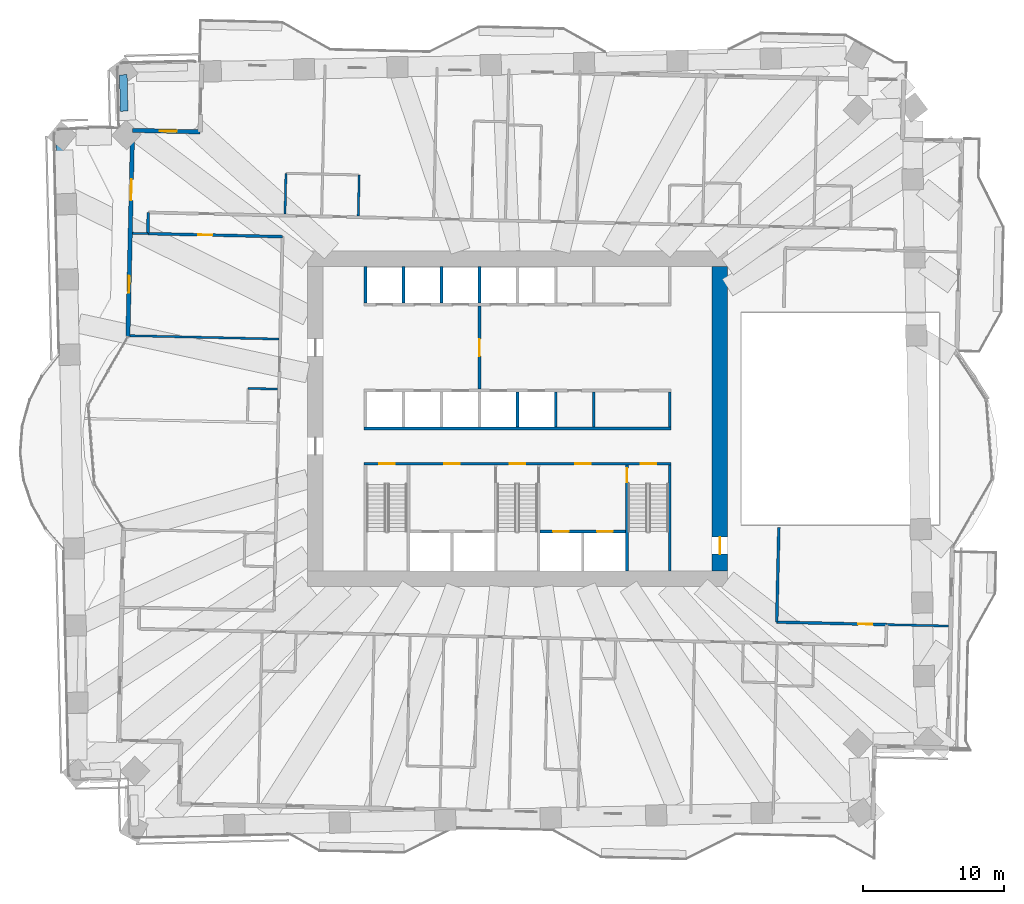
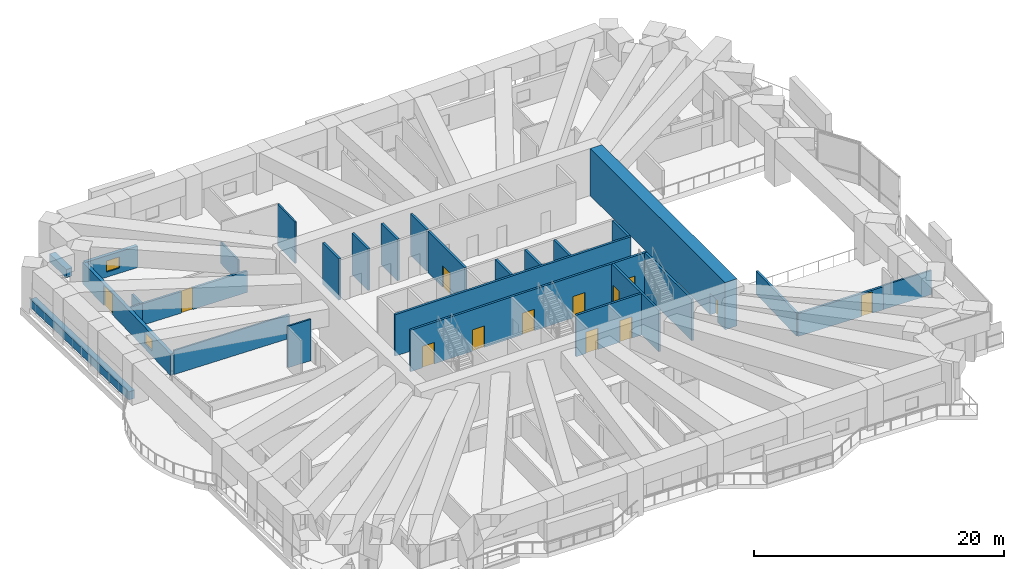
# One storey, part 11 of 20: 29 walls, 13 doors, 2 windows, 15 openings.
"""IFC4 building model written with IfcOpenShell, lengths in metres."""

from ifc_helpers import new_model, si_unit, direction, frame, frame_2d, origin, place, context, subcontext, project, spatial, rectangle, extrude, material, layer, layer_set, type_object, element, fill, save


model = new_model("IFC4")

# Units and contexts
model_context = context("Model", 3, precision=1e-05, world=origin(), true_north=direction((0.0, 1.0)))
body_context = subcontext(model_context, "Body", "Model", "MODEL_VIEW")
ifc_project = project(units=[si_unit("LENGTHUNIT", "METRE"), si_unit("AREAUNIT", "SQUARE_METRE"), si_unit("VOLUMEUNIT", "CUBIC_METRE"), si_unit("PLANEANGLEUNIT", "RADIAN"), si_unit("MASSUNIT", "GRAM", prefix="KILO")], contexts=[model_context])

# Site, building, storey
site_placement = place(None, origin())
site = spatial("IfcSite", under=ifc_project, at=site_placement, CompositionType="ELEMENT")
building_placement = place(site_placement, origin())
building = spatial("IfcBuilding", under=site, at=building_placement, Name="Mangrove Gate Tower", CompositionType="ELEMENT")
storey_placement = place(building_placement, frame((0.0, 0.0, 52.10009765625)))
storey = spatial("IfcBuildingStorey", under=building, at=storey_placement, Name="L12", CompositionType="ELEMENT", Elevation=52.10009765625)

# Wall, opening, door
ifc_material_1 = material(Name="Concrete C32/40", Category="concrete")
ifc_layer_1 = layer(ifc_material_1, 0.199951171875)
ifc_layer_set_1 = layer_set([ifc_layer_1], Name="Core lobby wall 200 C32/40")
wall_type_1 = type_object("IfcWallType", Name="Core lobby wall 200 C32/40", PredefinedType="STANDARD", material=ifc_layer_set_1)
wall_1_placement = place(storey_placement, frame((-2.699951171875, 2.10009765625, 0.0), z_axis=(0.0, 0.0, 1.0), x_axis=(0.0, 1.0, 0.0)))
wall_1 = element("IfcWall", 1, at=wall_1_placement, inside=storey, type_object=wall_type_1, Name="WALL-L12-CORE-35", PredefinedType="STANDARD", context=body_context, shape_type="SweptSolid", body=[
    extrude(rectangle(XDim=5.89990234375, YDim=0.199951171875, at=frame_2d((2.949951171875, 0.0))), origin(), (0.0, 0.0, 1.0), 4.0498046875),
])
opening_1_placement = place(wall_1_placement, frame((2.35009765625, 0.0, 0.0)))
opening_1 = element("IfcOpeningElement", 2, at=opening_1_placement, cuts=wall_1, Name="Opening FL12", PredefinedType="OPENING", context=body_context, shape_type="SweptSolid", body=[
    extrude(rectangle(XDim=1.199951171875, YDim=2.10009765625, at=frame_2d((0.60009765625, 1.050048828125))), frame((0.0, 0.10986328125, 0.0), z_axis=(0.0, -1.0, 0.0), x_axis=(1.0, 0.0, 0.0)), (0.0, 0.0, 1.0), 0.219970703125),
])
ifc_material_2 = material(Name="Fire-rated steel door set", Category="steel")
door_type_1 = type_object("IfcDoorType", Name="Lobby door FD60 1200x2100", OperationType="SINGLE_SWING_LEFT", PredefinedType="DOOR", material=ifc_material_2)
door_1_placement = place(opening_1_placement, origin())
door_1 = element("IfcDoor", 3, at=door_1_placement, inside=storey, type_object=door_type_1, Name="Lobby door lift lobby partition", OperationType="SINGLE_SWING_LEFT", OverallHeight=2.10009765625, OverallWidth=1.199951171875, PredefinedType="DOOR", context=body_context, shape_type="SweptSolid", body=[
    extrude(rectangle(XDim=1.199951171875, YDim=2.10009765625, at=frame_2d((0.60009765625, 1.050048828125))), frame((0.0, 0.02490234375, 0.0), z_axis=(0.0, -1.0, 0.0), x_axis=(1.0, 0.0, 0.0)), (0.0, 0.0, 1.0), 0.050048828125),
])
fill(opening_1, door_1)

# Walls
ifc_material_3 = material(Name="Concrete C32/40", Category="concrete")
ifc_layer_2 = layer(ifc_material_3, 0.199951171875)
ifc_layer_set_2 = layer_set([ifc_layer_2], Name="Core room wall 200 C32/40")
wall_type_2 = type_object("IfcWallType", Name="Core room wall 200 C32/40", PredefinedType="STANDARD", material=ifc_layer_set_2)
for number, where, z_axis, x_axis, name in (
    (4, (5.39990234375, -0.60009765625, 0.0), (0.0, 0.0, 1.0), (0.0, 1.0, 0.0), "WALL-L12-CORE-25"),
    (5, (10.800048828125, -0.60009765625, 0.0), (0.0, 0.0, 1.0), (0.0, 1.0, 0.0), "WALL-L12-CORE-26"),
):
    element("IfcWall", number, at=place(storey_placement, frame(where, z_axis=z_axis, x_axis=x_axis)), inside=storey, type_object=wall_type_2, Name=name, PredefinedType="STANDARD", context=body_context, shape_type="SweptSolid", body=[
        extrude(rectangle(XDim=2.5, YDim=0.199951171875, at=frame_2d((1.25, 0.0))), origin(), (0.0, 0.0, 1.0), 4.0498046875),
    ])
ifc_material_4 = material(Name="Concrete C70/85", Category="concrete")
ifc_layer_3 = layer(ifc_material_4, 0.199951171875)
ifc_layer_set_3 = layer_set([ifc_layer_3], Name="Core shaft wall 200 C70/85")
wall_type_3 = type_object("IfcWallType", Name="Core shaft wall 200 C70/85", PredefinedType="SHEAR", material=ifc_layer_set_3)
wall_2_placement = place(storey_placement, frame((-10.89990234375, -0.699951171875, 0.0), z_axis=(0.0, 0.0, 1.0), x_axis=(1.0, 0.0, 0.0)))
element("IfcWall", 6, at=wall_2_placement, inside=storey, type_object=wall_type_3, Name="WALL-L12-CORE-6", PredefinedType="SHEAR", context=body_context, shape_type="SweptSolid", body=[
    extrude(rectangle(XDim=21.7998046875, YDim=0.199951171875, at=frame_2d((10.89990234375, 0.0))), origin(), (0.0, 0.0, 1.0), 4.0498046875),
])

# Wall, openings, doors
wall_3_placement = place(storey_placement, frame((1.60009765625, -8.0, 0.0), z_axis=(0.0, 0.0, 1.0), x_axis=(1.0, 0.0, 0.0)))
wall_3 = element("IfcWall", 7, at=wall_3_placement, inside=storey, type_object=wall_type_3, Name="WALL-L12-CORE-17", PredefinedType="SHEAR", context=body_context, shape_type="SweptSolid", body=[
    extrude(rectangle(XDim=6.0498046875, YDim=0.199951171875, at=frame_2d((3.02490234375, 0.0))), origin(), (0.0, 0.0, 1.0), 4.0498046875),
])
opening_2_placement = place(wall_3_placement, frame((0.91259765625, 0.0, 0.0)))
opening_2 = element("IfcOpeningElement", 8, at=opening_2_placement, cuts=wall_3, Name="Opening LD", PredefinedType="OPENING", context=body_context, shape_type="SweptSolid", body=[
    extrude(rectangle(XDim=1.10009765625, YDim=2.10009765625, at=frame_2d((0.550048828125, 1.050048828125))), frame((0.0, 0.10986328125, 0.0), z_axis=(0.0, -1.0, 0.0), x_axis=(1.0, 0.0, 0.0)), (0.0, 0.0, 1.0), 0.219970703125),
])
opening_3_placement = place(wall_3_placement, frame((4.03759765625, 0.0, 0.0)))
opening_3 = element("IfcOpeningElement", 9, at=opening_3_placement, cuts=wall_3, Name="Opening LD", PredefinedType="OPENING", context=body_context, shape_type="SweptSolid", body=[
    extrude(rectangle(XDim=1.10009765625, YDim=2.10009765625, at=frame_2d((0.550048828125, 1.050048828125))), frame((0.0, 0.10986328125, 0.0), z_axis=(0.0, -1.0, 0.0), x_axis=(1.0, 0.0, 0.0)), (0.0, 0.0, 1.0), 0.219970703125),
])
ifc_material_5 = material(Name="Stainless steel 316", Category="steel")
door_type_2 = type_object("IfcDoorType", Name="Lift landing door 1100x2100", OperationType="SLIDING_TO_LEFT", PredefinedType="DOOR", material=ifc_material_5)
door_2_placement = place(opening_2_placement, origin())
door_2 = element("IfcDoor", 10, at=door_2_placement, inside=storey, type_object=door_type_2, Name="Landing door LD FFL1", OperationType="SLIDING_TO_LEFT", OverallHeight=2.10009765625, OverallWidth=1.10009765625, PredefinedType="DOOR", context=body_context, shape_type="SweptSolid", body=[
    extrude(rectangle(XDim=1.10009765625, YDim=2.10009765625, at=frame_2d((0.550048828125, 1.050048828125))), frame((0.0, 0.02490234375, 0.0), z_axis=(0.0, -1.0, 0.0), x_axis=(1.0, 0.0, 0.0)), (0.0, 0.0, 1.0), 0.050048828125),
])
fill(opening_2, door_2)
door_3_placement = place(opening_3_placement, origin())
door_3 = element("IfcDoor", 11, at=door_3_placement, inside=storey, type_object=door_type_2, Name="Landing door LD FFL2", OperationType="SLIDING_TO_LEFT", OverallHeight=2.10009765625, OverallWidth=1.10009765625, PredefinedType="DOOR", context=body_context, shape_type="SweptSolid", body=[
    extrude(rectangle(XDim=1.10009765625, YDim=2.10009765625, at=frame_2d((0.550048828125, 1.050048828125))), frame((0.0, 0.02490234375, 0.0), z_axis=(0.0, -1.0, 0.0), x_axis=(1.0, 0.0, 0.0)), (0.0, 0.0, 1.0), 0.050048828125),
])
fill(opening_3, door_3)

# Walls
for number, where, z_axis, x_axis, name in (
    (12, (0.0, -0.60009765625, 0.0), (0.0, 0.0, 1.0), (0.0, 1.0, 0.0), "WALL-L12-CORE-23"),
    (13, (2.699951171875, -0.60009765625, 0.0), (0.0, 0.0, 1.0), (0.0, 1.0, 0.0), "WALL-L12-CORE-24"),
):
    element("IfcWall", number, at=place(storey_placement, frame(where, z_axis=z_axis, x_axis=x_axis)), inside=storey, type_object=wall_type_3, Name=name, PredefinedType="SHEAR", context=body_context, shape_type="SweptSolid", body=[
        extrude(rectangle(XDim=2.5, YDim=0.199951171875, at=frame_2d((1.25, 0.0))), origin(), (0.0, 0.0, 1.0), 4.0498046875),
    ])
for number, where, z_axis, x_axis, name in (
    (14, (-10.800048828125, 8.199951171875, 0.0), (0.0, 0.0, 1.0), (0.0, 1.0, 0.0), "WALL-L12-CORE-27"),
    (15, (-8.10009765625, 8.199951171875, 0.0), (0.0, 0.0, 1.0), (0.0, 1.0, 0.0), "WALL-L12-CORE-28"),
    (16, (-5.39990234375, 8.199951171875, 0.0), (0.0, 0.0, 1.0), (0.0, 1.0, 0.0), "WALL-L12-CORE-29"),
    (17, (-2.699951171875, 8.199951171875, 0.0), (0.0, 0.0, 1.0), (0.0, 1.0, 0.0), "WALL-L12-CORE-30"),
):
    element("IfcWall", number, at=place(storey_placement, frame(where, z_axis=z_axis, x_axis=x_axis)), inside=storey, type_object=wall_type_3, Name=name, PredefinedType="SHEAR", context=body_context, shape_type="SweptSolid", body=[
        extrude(rectangle(XDim=2.60009765625, YDim=0.199951171875, at=frame_2d((1.300048828125, 0.0))), origin(), (0.0, 0.0, 1.0), 4.0498046875),
    ])

# Wall, openings, doors
ifc_material_6 = material(Name="Concrete C70/85", Category="concrete")
ifc_layer_4 = layer(ifc_material_6, 0.199951171875)
ifc_layer_set_4 = layer_set([ifc_layer_4], Name="Core stair wall 200 C70/85")
wall_type_4 = type_object("IfcWallType", Name="Core stair wall 200 C70/85", PredefinedType="SHEAR", material=ifc_layer_set_4)
wall_4_placement = place(storey_placement, frame((-10.89990234375, -3.199951171875, 0.0), z_axis=(0.0, 0.0, 1.0), x_axis=(1.0, 0.0, 0.0)))
wall_4 = element("IfcWall", 18, at=wall_4_placement, inside=storey, type_object=wall_type_4, Name="WALL-L12-CORE-5", PredefinedType="SHEAR", context=body_context, shape_type="SweptSolid", body=[
    extrude(rectangle(XDim=21.7998046875, YDim=0.199951171875, at=frame_2d((10.89990234375, 0.0))), origin(), (0.0, 0.0, 1.0), 4.0498046875),
])
opening_4_placement = place(wall_4_placement, frame((1.074951171875, 0.0, 0.0)))
opening_4 = element("IfcOpeningElement", 19, at=opening_4_placement, cuts=wall_4, Name="Opening STD11", PredefinedType="OPENING", context=body_context, shape_type="SweptSolid", body=[
    extrude(rectangle(XDim=1.10009765625, YDim=2.10009765625, at=frame_2d((0.550048828125, 1.050048828125))), frame((0.0, 0.10986328125, 0.0), z_axis=(0.0, -1.0, 0.0), x_axis=(1.0, 0.0, 0.0)), (0.0, 0.0, 1.0), 0.219970703125),
])
opening_5_placement = place(wall_4_placement, frame((10.324951171875, 0.0, 0.0)))
opening_5 = element("IfcOpeningElement", 20, at=opening_5_placement, cuts=wall_4, Name="Opening STD11", PredefinedType="OPENING", context=body_context, shape_type="SweptSolid", body=[
    extrude(rectangle(XDim=1.10009765625, YDim=2.10009765625, at=frame_2d((0.550048828125, 1.050048828125))), frame((0.0, 0.10986328125, 0.0), z_axis=(0.0, -1.0, 0.0), x_axis=(1.0, 0.0, 0.0)), (0.0, 0.0, 1.0), 0.219970703125),
])
opening_6_placement = place(wall_4_placement, frame((19.625, 0.0, 0.0)))
opening_6 = element("IfcOpeningElement", 21, at=opening_6_placement, cuts=wall_4, Name="Opening STD11", PredefinedType="OPENING", context=body_context, shape_type="SweptSolid", body=[
    extrude(rectangle(XDim=1.10009765625, YDim=2.10009765625, at=frame_2d((0.550048828125, 1.050048828125))), frame((0.0, 0.10986328125, 0.0), z_axis=(0.0, -1.0, 0.0), x_axis=(1.0, 0.0, 0.0)), (0.0, 0.0, 1.0), 0.219970703125),
])
opening_7_placement = place(wall_4_placement, frame((5.699951171875, 0.0, 0.0)))
opening_7 = element("IfcOpeningElement", 22, at=opening_7_placement, cuts=wall_4, Name="Opening FL", PredefinedType="OPENING", context=body_context, shape_type="SweptSolid", body=[
    extrude(rectangle(XDim=1.10009765625, YDim=2.10009765625, at=frame_2d((0.550048828125, 1.050048828125))), frame((0.0, 0.10986328125, 0.0), z_axis=(0.0, -1.0, 0.0), x_axis=(1.0, 0.0, 0.0)), (0.0, 0.0, 1.0), 0.219970703125),
])
opening_8_placement = place(wall_4_placement, frame((14.97509765625, 0.0, 0.0)))
opening_8 = element("IfcOpeningElement", 23, at=opening_8_placement, cuts=wall_4, Name="Opening FL", PredefinedType="OPENING", context=body_context, shape_type="SweptSolid", body=[
    extrude(rectangle(XDim=1.10009765625, YDim=2.10009765625, at=frame_2d((0.550048828125, 1.050048828125))), frame((0.0, 0.10986328125, 0.0), z_axis=(0.0, -1.0, 0.0), x_axis=(1.0, 0.0, 0.0)), (0.0, 0.0, 1.0), 0.219970703125),
])
ifc_material_7 = material(Name="Fire-rated steel door set", Category="steel")
door_type_3 = type_object("IfcDoorType", Name="Lobby door FD60 1100x2100", OperationType="SINGLE_SWING_LEFT", PredefinedType="DOOR", material=ifc_material_7)
door_4_placement = place(opening_7_placement, origin())
door_4 = element("IfcDoor", 24, at=door_4_placement, inside=storey, type_object=door_type_3, Name="Lobby door service lobby", OperationType="SINGLE_SWING_LEFT", OverallHeight=2.10009765625, OverallWidth=1.10009765625, PredefinedType="DOOR", context=body_context, shape_type="SweptSolid", body=[
    extrude(rectangle(XDim=1.10009765625, YDim=2.10009765625, at=frame_2d((0.550048828125, 1.050048828125))), frame((0.0, 0.02490234375, 0.0), z_axis=(0.0, -1.0, 0.0), x_axis=(1.0, 0.0, 0.0)), (0.0, 0.0, 1.0), 0.050048828125),
])
fill(opening_7, door_4)
door_5_placement = place(opening_8_placement, origin())
door_5 = element("IfcDoor", 25, at=door_5_placement, inside=storey, type_object=door_type_3, Name="Lobby door fire-fighting lobby", OperationType="SINGLE_SWING_LEFT", OverallHeight=2.10009765625, OverallWidth=1.10009765625, PredefinedType="DOOR", context=body_context, shape_type="SweptSolid", body=[
    extrude(rectangle(XDim=1.10009765625, YDim=2.10009765625, at=frame_2d((0.550048828125, 1.050048828125))), frame((0.0, 0.02490234375, 0.0), z_axis=(0.0, -1.0, 0.0), x_axis=(1.0, 0.0, 0.0)), (0.0, 0.0, 1.0), 0.050048828125),
])
fill(opening_8, door_5)
ifc_material_8 = material(Name="Fire-rated steel door set", Category="steel")
door_type_4 = type_object("IfcDoorType", Name="Stair door FD60 1100x2100", OperationType="SINGLE_SWING_RIGHT", PredefinedType="DOOR", material=ifc_material_8)
door_6_placement = place(opening_4_placement, origin())
door_6 = element("IfcDoor", 26, at=door_6_placement, inside=storey, type_object=door_type_4, Name="Stair door Stair 1", OperationType="SINGLE_SWING_RIGHT", OverallHeight=2.10009765625, OverallWidth=1.10009765625, PredefinedType="DOOR", context=body_context, shape_type="SweptSolid", body=[
    extrude(rectangle(XDim=1.10009765625, YDim=2.10009765625, at=frame_2d((0.550048828125, 1.050048828125))), frame((0.0, 0.02490234375, 0.0), z_axis=(0.0, -1.0, 0.0), x_axis=(1.0, 0.0, 0.0)), (0.0, 0.0, 1.0), 0.050048828125),
])
fill(opening_4, door_6)
door_7_placement = place(opening_5_placement, origin())
door_7 = element("IfcDoor", 27, at=door_7_placement, inside=storey, type_object=door_type_4, Name="Stair door Stair 2", OperationType="SINGLE_SWING_RIGHT", OverallHeight=2.10009765625, OverallWidth=1.10009765625, PredefinedType="DOOR", context=body_context, shape_type="SweptSolid", body=[
    extrude(rectangle(XDim=1.10009765625, YDim=2.10009765625, at=frame_2d((0.550048828125, 1.050048828125))), frame((0.0, 0.02490234375, 0.0), z_axis=(0.0, -1.0, 0.0), x_axis=(1.0, 0.0, 0.0)), (0.0, 0.0, 1.0), 0.050048828125),
])
fill(opening_5, door_7)
door_8_placement = place(opening_6_placement, origin())
door_8 = element("IfcDoor", 28, at=door_8_placement, inside=storey, type_object=door_type_4, Name="Stair door Stair 3", OperationType="SINGLE_SWING_RIGHT", OverallHeight=2.10009765625, OverallWidth=1.10009765625, PredefinedType="DOOR", context=body_context, shape_type="SweptSolid", body=[
    extrude(rectangle(XDim=1.10009765625, YDim=2.10009765625, at=frame_2d((0.550048828125, 1.050048828125))), frame((0.0, 0.02490234375, 0.0), z_axis=(0.0, -1.0, 0.0), x_axis=(1.0, 0.0, 0.0)), (0.0, 0.0, 1.0), 0.050048828125),
])
fill(opening_6, door_8)

# Wall, opening, door
wall_5_placement = place(storey_placement, frame((7.75, -10.800048828125, 0.0), z_axis=(0.0, 0.0, 1.0), x_axis=(0.0, 1.0, 0.0)))
wall_5 = element("IfcWall", 29, at=wall_5_placement, inside=storey, type_object=wall_type_4, Name="WALL-L12-CORE-13", PredefinedType="SHEAR", context=body_context, shape_type="SweptSolid", body=[
    extrude(rectangle(XDim=7.5, YDim=0.199951171875, at=frame_2d((3.75, 0.0))), origin(), (0.0, 0.0, 1.0), 4.0498046875),
])
opening_9_placement = place(wall_5_placement, frame((6.300048828125, 0.0, 0.0)))
opening_9 = element("IfcOpeningElement", 30, at=opening_9_placement, cuts=wall_5, Name="Opening STD10", PredefinedType="OPENING", context=body_context, shape_type="SweptSolid", body=[
    extrude(rectangle(XDim=1.0, YDim=2.10009765625, at=frame_2d((0.5, 1.050048828125))), frame((0.0, 0.10986328125, 0.0), z_axis=(0.0, -1.0, 0.0), x_axis=(1.0, 0.0, 0.0)), (0.0, 0.0, 1.0), 0.219970703125),
])
ifc_material_9 = material(Name="Fire-rated steel door set", Category="steel")
door_type_5 = type_object("IfcDoorType", Name="Stair door FD60 1000x2100", OperationType="SINGLE_SWING_RIGHT", PredefinedType="DOOR", material=ifc_material_9)
door_9_placement = place(opening_9_placement, origin())
door_9 = element("IfcDoor", 31, at=door_9_placement, inside=storey, type_object=door_type_5, Name="Stair door Stair 3 from fire-fighting lobby", OperationType="SINGLE_SWING_RIGHT", OverallHeight=2.10009765625, OverallWidth=1.0, PredefinedType="DOOR", context=body_context, shape_type="SweptSolid", body=[
    extrude(rectangle(XDim=1.0, YDim=2.10009765625, at=frame_2d((0.5, 1.050048828125))), frame((0.0, 0.02490234375, 0.0), z_axis=(0.0, -1.0, 0.0), x_axis=(1.0, 0.0, 0.0)), (0.0, 0.0, 1.0), 0.050048828125),
])
fill(opening_9, door_9)

# Wall
wall_6_placement = place(storey_placement, frame((10.800048828125, -10.800048828125, 0.0), z_axis=(0.0, 0.0, 1.0), x_axis=(0.0, 1.0, 0.0)))
element("IfcWall", 32, at=wall_6_placement, inside=storey, type_object=wall_type_4, Name="WALL-L12-CORE-14", PredefinedType="SHEAR", context=body_context, shape_type="SweptSolid", body=[
    extrude(rectangle(XDim=7.5, YDim=0.199951171875, at=frame_2d((3.75, 0.0))), origin(), (0.0, 0.0, 1.0), 4.0498046875),
])

# Wall, opening, door
ifc_material_10 = material(Name="Concrete C70/85", Category="concrete")
ifc_layer_5 = layer(ifc_material_10, 1.10009765625)
ifc_layer_set_5 = layer_set([ifc_layer_5], Name="Core wall 1100 C70/85")
wall_type_5 = type_object("IfcWallType", Name="Core wall 1100 C70/85", PredefinedType="SHEAR", material=ifc_layer_set_5)
wall_7_placement = place(storey_placement, frame((14.35009765625, -10.800048828125, 0.0), z_axis=(0.0, 0.0, 1.0), x_axis=(0.0, 1.0, 0.0)))
wall_7 = element("IfcWall", 33, at=wall_7_placement, inside=storey, type_object=wall_type_5, Name="WALL-L12-CORE-4", PredefinedType="SHEAR", context=body_context, shape_type="SweptSolid", body=[
    extrude(rectangle(XDim=21.60009765625, YDim=1.10009765625, at=frame_2d((10.800048828125, 0.0))), origin(), (0.0, 0.0, 1.0), 4.599853515625),
])
opening_10_placement = place(wall_7_placement, frame((1.199951171875, 0.0, 0.0)))
opening_10 = element("IfcOpeningElement", 34, at=opening_10_placement, cuts=wall_7, Name="Opening CD", PredefinedType="OPENING", context=body_context, shape_type="SweptSolid", body=[
    extrude(rectangle(XDim=1.199951171875, YDim=2.10009765625, at=frame_2d((0.60009765625, 1.050048828125))), frame((0.0, 0.56005859375, 0.0), z_axis=(0.0, -1.0, 0.0), x_axis=(1.0, 0.0, 0.0)), (0.0, 0.0, 1.0), 1.1201171875),
])
ifc_material_11 = material(Name="Fire-rated steel door set", Category="steel")
door_type_6 = type_object("IfcDoorType", Name="Core ring door FD60 1200x2100", OperationType="DOUBLE_DOOR_SINGLE_SWING", PredefinedType="DOOR", material=ifc_material_11)
door_10_placement = place(opening_10_placement, origin())
door_10 = element("IfcDoor", 35, at=door_10_placement, inside=storey, type_object=door_type_6, Name="Core ring door E1", OperationType="DOUBLE_DOOR_SINGLE_SWING", OverallHeight=2.10009765625, OverallWidth=1.199951171875, PredefinedType="DOOR", context=body_context, shape_type="SweptSolid", body=[
    extrude(rectangle(XDim=1.199951171875, YDim=2.10009765625, at=frame_2d((0.60009765625, 1.050048828125))), frame((0.0, 0.02490234375, 0.0), z_axis=(0.0, -1.0, 0.0), x_axis=(1.0, 0.0, 0.0)), (0.0, 0.0, 1.0), 0.050048828125),
])
fill(opening_10, door_10)

ifc_material_12 = material(Name="Gypsum board on steel stud, EI 60", Category="steel")
ifc_layer_6 = layer(ifc_material_12, 0.199951171875)
ifc_layer_set_6 = layer_set([ifc_layer_6], Name="Corridor wall EI 60")
wall_type_6 = type_object("IfcWallType", Name="Corridor wall EI 60", PredefinedType="PARTITIONING", material=ifc_layer_set_6)
wall_8_placement = place(storey_placement, frame((18.382080078125, -14.43408203125, 0.0), z_axis=(0.0, 0.0, 1.0), x_axis=(0.999741689867, -0.022727814278, 0.0)))
wall_8 = element("IfcWall", 36, at=wall_8_placement, inside=storey, type_object=wall_type_6, Name="WALL-L12-027", PredefinedType="PARTITIONING", context=body_context, shape_type="SweptSolid", body=[
    extrude(rectangle(XDim=7.787841796875, YDim=0.199951171875, at=frame_2d((3.89404296875, 0.0))), origin(), (0.0, 0.0, 1.0), 2.25),
])
opening_11_placement = place(wall_8_placement, frame((5.777099609375, 0.0, 0.0)))
opening_11 = element("IfcOpeningElement", 37, at=opening_11_placement, cuts=wall_8, Name="Opening AD", PredefinedType="OPENING", context=body_context, shape_type="SweptSolid", body=[
    extrude(rectangle(XDim=1.0, YDim=2.10009765625, at=frame_2d((0.5, 1.050048828125))), frame((0.0, 0.10986328125, 0.0), z_axis=(0.0, -1.0, 0.0), x_axis=(1.0, 0.0, 0.0)), (0.0, 0.0, 1.0), 0.219970703125),
])
ifc_material_13 = material(Name="Timber door leaf", Category="wood")
door_type_7 = type_object("IfcDoorType", Name="Amenity door 1000", OperationType="SINGLE_SWING_LEFT", PredefinedType="DOOR", material=ifc_material_13)
door_11_placement = place(opening_11_placement, origin())
door_11 = element("IfcDoor", 38, at=door_11_placement, inside=storey, type_object=door_type_7, Name="DOOR-L12-LNG-c4b", OperationType="SINGLE_SWING_RIGHT", OverallHeight=2.10009765625, OverallWidth=1.0, PredefinedType="DOOR", context=body_context, shape_type="SweptSolid", body=[
    extrude(rectangle(XDim=1.0, YDim=2.10009765625, at=frame_2d((0.5, 1.050048828125))), frame((0.0, 0.02490234375, 0.0), z_axis=(0.0, -1.0, 0.0), x_axis=(1.0, 0.0, 0.0)), (0.0, 0.0, 1.0), 0.050048828125),
])
fill(opening_11, door_11)

# Walls
wall_9_placement = place(storey_placement, frame((18.384033203125, -14.43408203125, 0.0), z_axis=(0.0, 0.0, 1.0), x_axis=(0.022773383809, 0.999740652864, 0.0)))
element("IfcWall", 39, at=wall_9_placement, inside=storey, type_object=wall_type_6, Name="WALL-L12-028", PredefinedType="PARTITIONING", context=body_context, shape_type="SweptSolid", body=[
    extrude(rectangle(XDim=6.7216796875, YDim=0.199951171875, at=frame_2d((3.36083984375, 0.0))), origin(), (0.0, 0.0, 1.0), 2.25),
])
wall_10_placement = place(storey_placement, frame((-26.241943359375, 13.135009765625, 0.0), z_axis=(0.0, 0.0, 1.0), x_axis=(0.022617910375, 0.999744182344, 0.0)))
element("IfcWall", 40, at=wall_10_placement, inside=storey, type_object=wall_type_6, Name="WALL-L12-039", PredefinedType="PARTITIONING", context=body_context, shape_type="SweptSolid", body=[
    extrude(rectangle(XDim=1.50048828125, YDim=0.199951171875, at=frame_2d((0.750244140625, 0.0))), origin(), (0.0, 0.0, 1.0), 2.099853515625),
])

# Wall, opening, door
wall_11_placement = place(storey_placement, frame((-26.239990234375, 13.135009765625, 0.0), z_axis=(0.0, 0.0, 1.0), x_axis=(0.999742441439, -0.022694730362, 0.0)))
wall_11 = element("IfcWall", 41, at=wall_11_placement, inside=storey, type_object=wall_type_6, Name="WALL-L12-040", PredefinedType="PARTITIONING", context=body_context, shape_type="SweptSolid", body=[
    extrude(rectangle(XDim=9.5634765625, YDim=0.199951171875, at=frame_2d((4.78173828125, 0.0))), origin(), (0.0, 0.0, 1.0), 2.099853515625),
])
opening_12_placement = place(wall_11_placement, frame((3.58203125, 0.0, 0.0)))
opening_12 = element("IfcOpeningElement", 42, at=opening_12_placement, cuts=wall_11, Name="Opening AD", PredefinedType="OPENING", context=body_context, shape_type="SweptSolid", body=[
    extrude(rectangle(XDim=1.0, YDim=2.10009765625, at=frame_2d((0.5, 1.050048828125))), frame((0.0, 0.10986328125, 0.0), z_axis=(0.0, -1.0, 0.0), x_axis=(1.0, 0.0, 0.0)), (0.0, 0.0, 1.0), 0.219970703125),
])
door_12_placement = place(opening_12_placement, origin())
door_12 = element("IfcDoor", 43, at=door_12_placement, inside=storey, type_object=door_type_7, Name="DOOR-L12-GAM-c5b", OperationType="SINGLE_SWING_LEFT", OverallHeight=2.10009765625, OverallWidth=1.0, PredefinedType="DOOR", context=body_context, shape_type="SweptSolid", body=[
    extrude(rectangle(XDim=1.0, YDim=2.10009765625, at=frame_2d((0.5, 1.050048828125))), frame((0.0, 0.02490234375, 0.0), z_axis=(0.0, -1.0, 0.0), x_axis=(1.0, 0.0, 0.0)), (0.0, 0.0, 1.0), 0.050048828125),
])
fill(opening_12, door_12)

# Wall, opening, window
ifc_material_14 = material(Name="Limestone", Category="masonry")
ifc_layer_7 = layer(ifc_material_14, 0.0400390625, Name="Limestone cladding")
ifc_material_15 = material(Name="Ventilated air gap")
ifc_layer_8 = layer(ifc_material_15, 0.0400390625, Name="Ventilated cavity")
ifc_material_16 = material(Name="Mineral wool insulation")
ifc_layer_9 = layer(ifc_material_16, 0.06005859375, Name="Insulation")
ifc_material_17 = material(Name="Breather membrane")
ifc_layer_10 = layer(ifc_material_17, 0.001953125, Name="Breather membrane")
ifc_material_18 = material(Name="Concrete C20/25 blockwork", Category="masonry")
ifc_layer_11 = layer(ifc_material_18, 0.14990234375, Name="Blockwork backing wall")
ifc_material_19 = material(Name="Gypsum plaster")
ifc_layer_12 = layer(ifc_material_19, 0.008056640625, Name="Internal plaster")
ifc_layer_set_7 = layer_set([ifc_layer_7, ifc_layer_8, ifc_layer_9, ifc_layer_10, ifc_layer_11, ifc_layer_12], Name="External wall 300 limestone cladding")
wall_type_7 = type_object("IfcWallType", Name="External wall 300 limestone cladding", PredefinedType="SOLIDWALL", material=ifc_layer_set_7)
wall_12_placement = place(storey_placement, frame((-22.52490234375, 20.35302734375, 0.0), z_axis=(0.0, 0.0, 1.0), x_axis=(-0.999742701292, 0.022683280499, 0.0)))
wall_12 = element("IfcWall", 44, at=wall_12_placement, inside=storey, type_object=wall_type_7, Name="WALL-L12-N7", PredefinedType="SOLIDWALL", context=body_context, shape_type="SweptSolid", body=[
    extrude(rectangle(XDim=4.80029296875, YDim=0.300048828125, at=frame_2d((2.400146484375, 0.0))), origin(), (0.0, 0.0, 1.0), 2.099853515625),
])
opening_13_placement = place(wall_12_placement, frame((1.6650390625, 0.0, 0.5)))
opening_13 = element("IfcOpeningElement", 45, at=opening_13_placement, cuts=wall_12, Name="Opening W6", PredefinedType="OPENING", context=body_context, shape_type="SweptSolid", body=[
    extrude(rectangle(XDim=1.199951171875, YDim=1.10009765625, at=frame_2d((0.60009765625, 0.550048828125))), frame((0.0, 0.159912109375, 0.0), z_axis=(0.0, -1.0, 0.0), x_axis=(1.0, 0.0, 0.0)), (0.0, 0.0, 1.0), 0.320068359375),
])
ifc_material_20 = material(Name="Aluminium frame with double-glazed low-e glass", Category="aluminium")
window_type = type_object("IfcWindowType", Name="Low window 1200x1100", PartitioningType="SINGLE_PANEL", PredefinedType="WINDOW", material=ifc_material_20)
window_1_placement = place(opening_13_placement, origin())
window_1 = element("IfcWindow", 46, at=window_1_placement, inside=storey, type_object=window_type, Name="WIN-L12-N7-1", OverallHeight=1.10009765625, OverallWidth=1.199951171875, PartitioningType="SINGLE_PANEL", PredefinedType="WINDOW", context=body_context, shape_type="SweptSolid", body=[
    extrude(rectangle(XDim=1.199951171875, YDim=1.10009765625, at=frame_2d((0.60009765625, 0.550048828125))), frame((0.0, 0.030029296875, 0.0), z_axis=(0.0, -1.0, 0.0), x_axis=(1.0, 0.0, 0.0)), (0.0, 0.0, 1.0), 0.06005859375),
])
fill(opening_13, window_1)

# Wall, openings, door, window
wall_13_placement = place(storey_placement, frame((-27.323974609375, 20.4619140625, 0.0), z_axis=(0.0, 0.0, 1.0), x_axis=(-0.022695628174, -0.999742421057, 0.0)))
wall_13 = element("IfcWall", 47, at=wall_13_placement, inside=storey, type_object=wall_type_7, Name="WALL-L12-W8", PredefinedType="SOLIDWALL", context=body_context, shape_type="SweptSolid", body=[
    extrude(rectangle(XDim=14.629638671875, YDim=0.300048828125, at=frame_2d((7.31494140625, 0.0))), origin(), (0.0, 0.0, 1.0), 2.099853515625),
])
opening_14_placement = place(wall_13_placement, frame((3.47509765625, 0.0, 0.0)))
opening_14 = element("IfcOpeningElement", 48, at=opening_14_placement, cuts=wall_13, Name="Opening BD3", PredefinedType="OPENING", context=body_context, shape_type="SweptSolid", body=[
    extrude(rectangle(XDim=1.5, YDim=2.0, at=frame_2d((0.75, 1.0))), frame((0.0, 0.159912109375, 0.0), z_axis=(0.0, -1.0, 0.0), x_axis=(1.0, 0.0, 0.0)), (0.0, 0.0, 1.0), 0.320068359375),
])
opening_15_placement = place(wall_13_placement, frame((10.3369140625, 0.0, 0.5)))
opening_15 = element("IfcOpeningElement", 49, at=opening_15_placement, cuts=wall_13, Name="Opening W6", PredefinedType="OPENING", context=body_context, shape_type="SweptSolid", body=[
    extrude(rectangle(XDim=1.199951171875, YDim=1.10009765625, at=frame_2d((0.60009765625, 0.550048828125))), frame((0.0, 0.159912109375, 0.0), z_axis=(0.0, -1.0, 0.0), x_axis=(1.0, 0.0, 0.0)), (0.0, 0.0, 1.0), 0.320068359375),
])
ifc_material_21 = material(Name="Aluminium frame with laminated clear glass", Category="aluminium")
door_type_8 = type_object("IfcDoorType", Name="Balcony sliding door 1500x2000", OperationType="SLIDING_TO_LEFT", PredefinedType="DOOR", material=ifc_material_21)
door_13_placement = place(opening_14_placement, origin())
door_13 = element("IfcDoor", 50, at=door_13_placement, inside=storey, type_object=door_type_8, Name="DOOR-L12-W8-1", OperationType="SLIDING_TO_LEFT", OverallHeight=2.0, OverallWidth=1.5, PredefinedType="DOOR", context=body_context, shape_type="SweptSolid", body=[
    extrude(rectangle(XDim=1.5, YDim=2.0, at=frame_2d((0.75, 1.0))), frame((0.0, 0.02490234375, 0.0), z_axis=(0.0, -1.0, 0.0), x_axis=(1.0, 0.0, 0.0)), (0.0, 0.0, 1.0), 0.050048828125),
])
fill(opening_14, door_13)
window_2_placement = place(opening_15_placement, origin())
window_2 = element("IfcWindow", 51, at=window_2_placement, inside=storey, type_object=window_type, Name="WIN-L12-W8-2", OverallHeight=1.10009765625, OverallWidth=1.199951171875, PartitioningType="SINGLE_PANEL", PredefinedType="WINDOW", context=body_context, shape_type="SweptSolid", body=[
    extrude(rectangle(XDim=1.199951171875, YDim=1.10009765625, at=frame_2d((0.60009765625, 0.550048828125))), frame((0.0, 0.030029296875, 0.0), z_axis=(0.0, -1.0, 0.0), x_axis=(1.0, 0.0, 0.0)), (0.0, 0.0, 1.0), 0.06005859375),
])
fill(opening_15, window_2)

# Walls
ifc_material_22 = material(Name="Gypsum board on steel stud, EI 60", Category="steel")
ifc_layer_13 = layer(ifc_material_22, 0.14990234375)
ifc_layer_set_8 = layer_set([ifc_layer_13], Name="Party wall 150 EI 60")
wall_type_8 = type_object("IfcWallType", Name="Party wall 150 EI 60", PredefinedType="PARTITIONING", material=ifc_layer_set_8)
wall_14_placement = place(storey_placement, frame((26.16796875, -14.611083984375, 0.0), z_axis=(0.0, 0.0, 1.0), x_axis=(0.999743888199, -0.022630908251, 0.0)))
element("IfcWall", 52, at=wall_14_placement, inside=storey, type_object=wall_type_8, Name="WALL-L12-029", PredefinedType="PARTITIONING", context=body_context, shape_type="SweptSolid", body=[
    extrude(rectangle(XDim=4.412353515625, YDim=0.14990234375, at=frame_2d((2.2060546875, 0.0))), origin(), (0.0, 0.0, 1.0), 2.349853515625),
])
wall_15_placement = place(storey_placement, frame((-19.1240234375, 2.15087890625, 0.0), z_axis=(0.0, 0.0, 1.0), x_axis=(0.999750761464, -0.022325208909, 0.0)))
element("IfcWall", 53, at=wall_15_placement, inside=storey, type_object=wall_type_8, Name="WALL-L12-035", PredefinedType="PARTITIONING", context=body_context, shape_type="SweptSolid", body=[
    extrude(rectangle(XDim=2.099609375, YDim=0.14990234375, at=frame_2d((1.0498046875, 0.0))), origin(), (0.0, 0.0, 1.0), 4.0498046875),
])
wall_16_placement = place(storey_placement, frame((-27.5048828125, 5.89208984375, 0.0), z_axis=(0.0, 0.0, 1.0), x_axis=(0.999743990669, -0.022626381091, 0.0)))
element("IfcWall", 54, at=wall_16_placement, inside=storey, type_object=wall_type_8, Name="WALL-L12-036", PredefinedType="PARTITIONING", context=body_context, shape_type="SweptSolid", body=[
    extrude(rectangle(XDim=10.5634765625, YDim=0.14990234375, at=frame_2d((5.28173828125, 0.0))), origin(), (0.0, 0.0, 1.0), 2.349853515625),
])
wall_17_placement = place(storey_placement, frame((-27.340087890625, 13.159912109375, 0.0), z_axis=(0.0, 0.0, 1.0), x_axis=(0.999745701647, -0.022550654924, 0.0)))
element("IfcWall", 55, at=wall_17_placement, inside=storey, type_object=wall_type_8, Name="WALL-L12-038", PredefinedType="PARTITIONING", context=body_context, shape_type="SweptSolid", body=[
    extrude(rectangle(XDim=1.104248046875, YDim=0.14990234375, at=frame_2d((0.55224609375, 0.0))), origin(), (0.0, 0.0, 1.0), 2.099853515625),
])
wall_18_placement = place(storey_placement, frame((-16.508056640625, 14.514892578125, 0.0), z_axis=(0.0, 0.0, 1.0), x_axis=(0.022815112345, 0.999739701447, 0.0)))
element("IfcWall", 56, at=wall_18_placement, inside=storey, type_object=wall_type_8, Name="WALL-L12-045", PredefinedType="PARTITIONING", context=body_context, shape_type="SweptSolid", body=[
    extrude(rectangle(XDim=2.89990234375, YDim=0.14990234375, at=frame_2d((1.449951171875, 0.0))), origin(), (0.0, 0.0, 1.0), 2.099853515625),
])
wall_19_placement = place(storey_placement, frame((-11.30908203125, 14.39697265625, 0.0), z_axis=(0.0, 0.0, 1.0), x_axis=(0.022817032779, 0.999739657619, 0.0)))
element("IfcWall", 57, at=wall_19_placement, inside=storey, type_object=wall_type_8, Name="WALL-L12-047", PredefinedType="PARTITIONING", context=body_context, shape_type="SweptSolid", body=[
    extrude(rectangle(XDim=2.899658203125, YDim=0.14990234375, at=frame_2d((1.44970703125, 0.0))), origin(), (0.0, 0.0, 1.0), 4.0498046875),
])
ifc_material_23 = material(Name="Concrete C32/40", Category="concrete")
ifc_layer_14 = layer(ifc_material_23, 0.199951171875, Name="Planter trough wall")
ifc_material_24 = material(Name="Bituminous waterproofing membrane")
ifc_layer_15 = layer(ifc_material_24, 0.0048828125, Name="Waterproofing")
ifc_material_25 = material(Name="Drainage board and gravel")
ifc_layer_16 = layer(ifc_material_25, 0.044921875, Name="Drainage layer")
ifc_material_26 = material(Name="Planting soil")
ifc_layer_17 = layer(ifc_material_26, 0.300048828125, Name="Growing medium")
ifc_layer_set_9 = layer_set([ifc_layer_14, ifc_layer_15, ifc_layer_16, ifc_layer_17], Name="Planter wall 550 C32/40")
wall_type_9 = type_object("IfcWallType", Name="Planter wall 550 C32/40", PredefinedType="USERDEFINED", material=ifc_layer_set_9)
wall_20_placement = place(storey_placement, frame((-32.133056640625, 4.547119140625, 0.0), z_axis=(0.0, 0.0, 1.0), x_axis=(-0.02268812008, 0.999742591474, 0.0)))
element("IfcWall", 58, at=wall_20_placement, inside=storey, type_object=wall_type_9, Name="PLANTER L12 T2.1", ObjectType="PLANTER", PredefinedType="USERDEFINED", context=body_context, shape_type="SweptSolid", body=[
    extrude(rectangle(XDim=15.161865234375, YDim=0.550048828125, at=frame_2d((7.5810546875, 0.0))), origin(), (0.0, 0.0, 1.0), 0.7998046875),
])
wall_21_placement = place(storey_placement, frame((-27.924072265625, 21.820068359375, 0.0), z_axis=(0.0, 0.0, 1.0), x_axis=(-0.02272997504, 0.999741640743, 0.0)))
element("IfcWall", 59, at=wall_21_placement, inside=storey, type_object=wall_type_9, Name="PLANTER L12 T3.1.6", ObjectType="PLANTER", PredefinedType="USERDEFINED", context=body_context, shape_type="SweptSolid", body=[
    extrude(rectangle(XDim=2.588623046875, YDim=0.550048828125, at=frame_2d((1.29443359375, 0.0))), origin(), (0.0, 0.0, 1.0), 0.7998046875),
])

save(model, "model.ifc")
